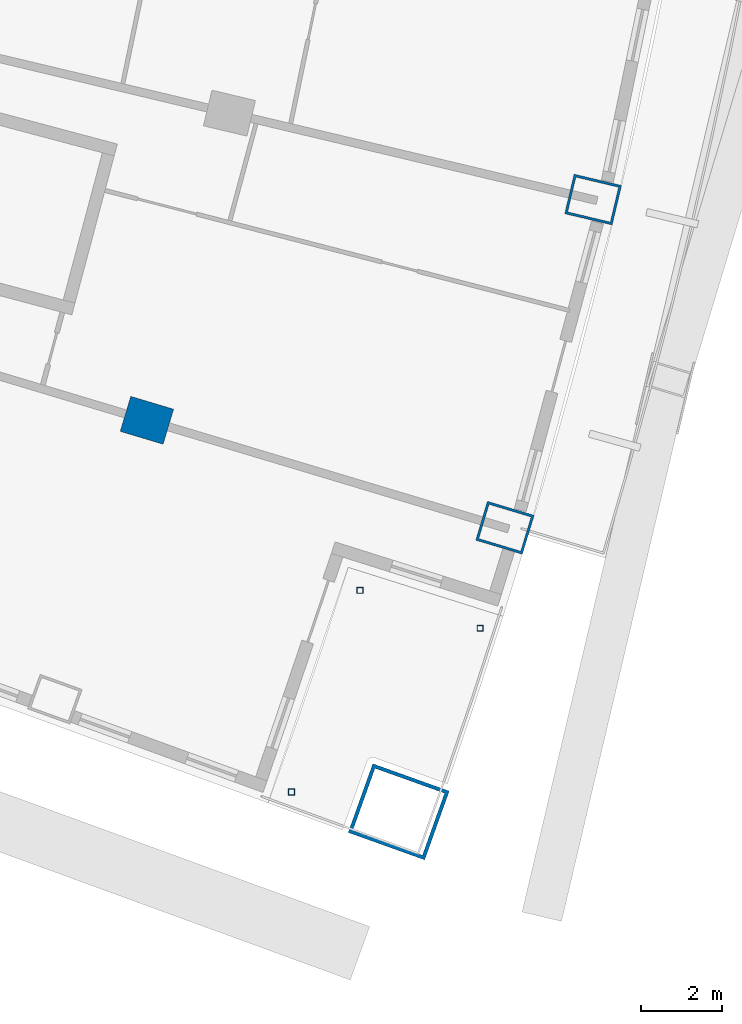
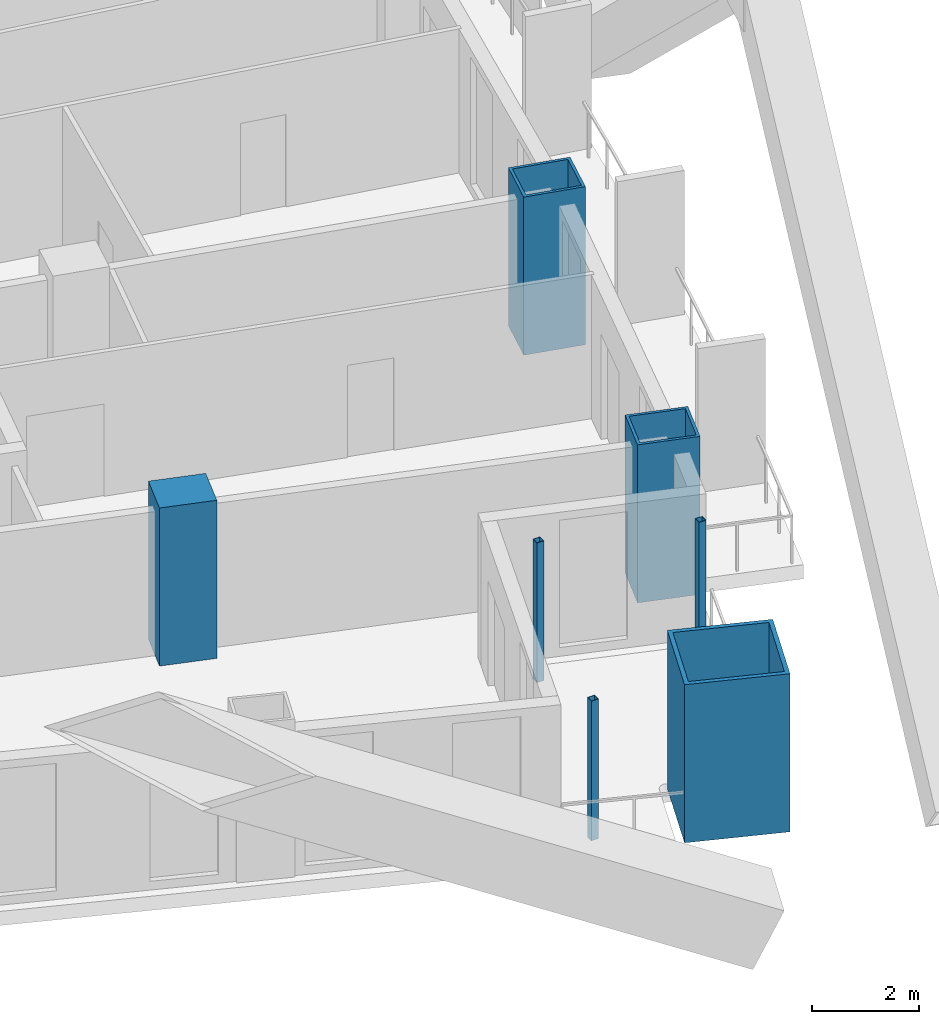
# One storey, part 5 of 25: 7 columns.
"""IFC4 building model written with IfcOpenShell, lengths in metres."""

from ifc_helpers import new_model, si_unit, direction, frame, origin, origin_2d, place, context, subcontext, project, spatial, rectangle, hollow_rectangle, extrude, material, material_profile, profile_set, type_object, element, save


model = new_model("IFC4")

# Units and contexts
model_context = context("Model", 3, precision=1e-05, world=origin(), true_north=direction((0.0, 1.0)))
body_context = subcontext(model_context, "Body", "Model", "MODEL_VIEW")
ifc_project = project(units=[si_unit("LENGTHUNIT", "METRE"), si_unit("AREAUNIT", "SQUARE_METRE"), si_unit("VOLUMEUNIT", "CUBIC_METRE"), si_unit("PLANEANGLEUNIT", "RADIAN"), si_unit("MASSUNIT", "GRAM", prefix="KILO")], contexts=[model_context])

# Site, building, storey
site_placement = place(None, origin())
site = spatial("IfcSite", under=ifc_project, at=site_placement, CompositionType="ELEMENT")
building_placement = place(site_placement, origin())
building = spatial("IfcBuilding", under=site, at=building_placement, Name="Alderwake Tower", CompositionType="ELEMENT")
storey_placement = place(building_placement, frame((0.0, 0.0, 32.0)))
storey = spatial("IfcBuildingStorey", under=building, at=storey_placement, Name="L06", CompositionType="ELEMENT", Elevation=32.0)

# Columns
ifc_material_1 = material(Name="Concrete C70/85", Category="concrete")
ifc_material_profile_1 = material_profile(ifc_material_1, rectangle(XDim=0.89990234375, YDim=1.10009765625, at=origin_2d()), Name="RC 1100X900")
ifc_profile_set_1 = profile_set([ifc_material_profile_1], Name="Concrete C70/85")
column_type_1 = type_object("IfcColumnType", Name="Interior column Z1", PredefinedType="COLUMN", material=ifc_profile_set_1)
column_1_placement = place(storey_placement, frame((48.5322265625, 22.410888671875, 0.0), z_axis=(0.0, 0.0, 1.0), x_axis=(0.287549418125, 0.957765802342, 0.0)))
element("IfcColumn", 1, at=column_1_placement, inside=storey, type_object=column_type_1, Name="Column R02-C4", PredefinedType="COLUMN", context=body_context, shape_type="SweptSolid", body=[
    extrude(rectangle(XDim=0.89990234375, YDim=1.10009765625, at=origin_2d()), origin(), (0.0, 0.0, 1.0), 3.60009765625),
])
ifc_material_2 = material(Name="Steel ASTM A500 Grade C", Category="steel")
ifc_material_profile_2 = material_profile(ifc_material_2, hollow_rectangle(XDim=0.15234375, YDim=0.15234375, WallThickness=0.0087890625, at=origin_2d()), Name="HSS6X6X3/8")
ifc_profile_set_2 = profile_set([ifc_material_profile_2], Name="Steel ASTM A500 Grade C")
column_type_2 = type_object("IfcColumnType", Name="Light post HSS6X6X3/8", PredefinedType="COLUMN", material=ifc_profile_set_2)
for number, where, z_axis, x_axis, name in (
    (2, (56.734375, 17.29296875, 0.0), (0.0, 0.0, 1.0), (1.0, 0.0, 0.0), "Terrace post FS1"),
    (3, (52.08837890625, 13.262939453125, 0.0), (0.0, 0.0, 1.0), (1.0, 0.0, 0.0), "Terrace post FS2"),
    (4, (53.778564453125, 18.2275390625, 0.0), (0.0, 0.0, 1.0), (1.0, 0.0, 0.0), "Terrace post FS3"),
):
    element("IfcColumn", number, at=place(storey_placement, frame(where, z_axis=z_axis, x_axis=x_axis)), inside=storey, type_object=column_type_2, Name=name, PredefinedType="COLUMN", context=body_context, shape_type="SweptSolid", body=[
        extrude(hollow_rectangle(XDim=0.15234375, YDim=0.15234375, WallThickness=0.0087890625, at=origin_2d()), origin(), (0.0, 0.0, 1.0), 3.179931640625),
    ])
ifc_material_3 = material(Name="Steel ASTM A572 Grade 50 concrete filled C70/85", Category="concrete")
ifc_material_profile_3 = material_profile(ifc_material_3, hollow_rectangle(XDim=1.800048828125, YDim=2.0, WallThickness=0.090087890625, at=origin_2d()), Name="BOX 2000X1800X90")
ifc_profile_set_3 = profile_set([ifc_material_profile_3], Name="Steel ASTM A572 Grade 50 concrete filled C70/85")
column_type_3 = type_object("IfcColumnType", Name="Mega column Z1", PredefinedType="COLUMN", material=ifc_profile_set_3)
column_2_placement = place(storey_placement, frame((54.7294921875, 12.77587890625, 0.0), z_axis=(0.0, 0.0, 1.0), x_axis=(0.336995022772, 0.941506428351, 0.0)))
element("IfcColumn", 5, at=column_2_placement, inside=storey, type_object=column_type_3, Name="Column R01-C5", PredefinedType="COLUMN", context=body_context, shape_type="SweptSolid", body=[
    extrude(hollow_rectangle(XDim=1.800048828125, YDim=2.0, WallThickness=0.090087890625, at=origin_2d()), origin(), (0.0, 0.0, 1.0), 3.60009765625),
])
ifc_material_4 = material(Name="Steel ASTM A572 Grade 50 concrete filled C70/85", Category="concrete")
ifc_material_profile_4 = material_profile(ifc_material_4, hollow_rectangle(XDim=1.0, YDim=1.199951171875, WallThickness=0.06005859375, at=origin_2d()), Name="BOX 1200X1000X60")
ifc_profile_set_4 = profile_set([ifc_material_profile_4], Name="Steel ASTM A572 Grade 50 concrete filled C70/85")
column_type_4 = type_object("IfcColumnType", Name="Perimeter column Z1", PredefinedType="COLUMN", material=ifc_profile_set_4)
for number, where, z_axis, x_axis, name in (
    (6, (57.343505859375, 19.765380859375, 0.0), (0.0, 0.0, 1.0), (0.287549418125, 0.957765802342, 0.0), "Column R02-C5"),
    (7, (59.513916015625, 27.8427734375, 0.0), (0.0, 0.0, 1.0), (0.231221547198, 0.972901123502, 0.0), "Column R03-C5"),
):
    element("IfcColumn", number, at=place(storey_placement, frame(where, z_axis=z_axis, x_axis=x_axis)), inside=storey, type_object=column_type_4, Name=name, PredefinedType="COLUMN", context=body_context, shape_type="SweptSolid", body=[
        extrude(hollow_rectangle(XDim=1.0, YDim=1.199951171875, WallThickness=0.06005859375, at=origin_2d()), origin(), (0.0, 0.0, 1.0), 3.60009765625),
    ])

save(model, "model.ifc")
